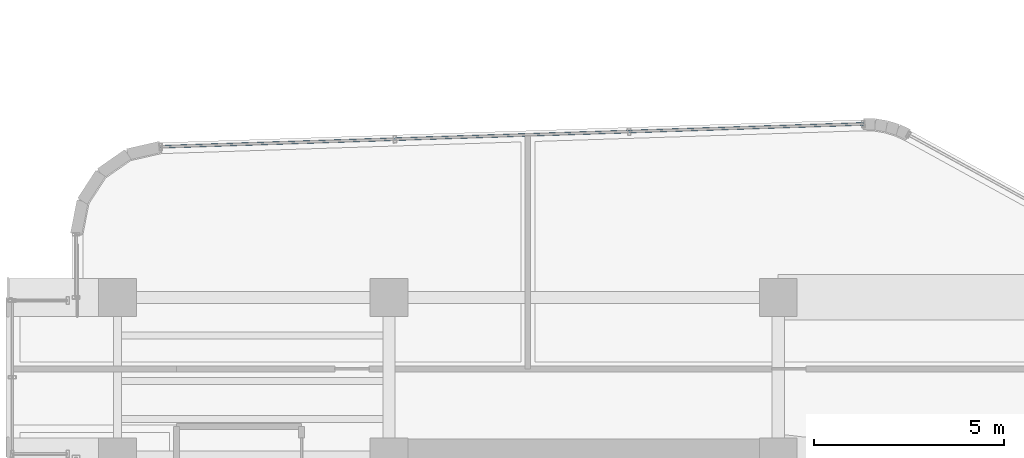
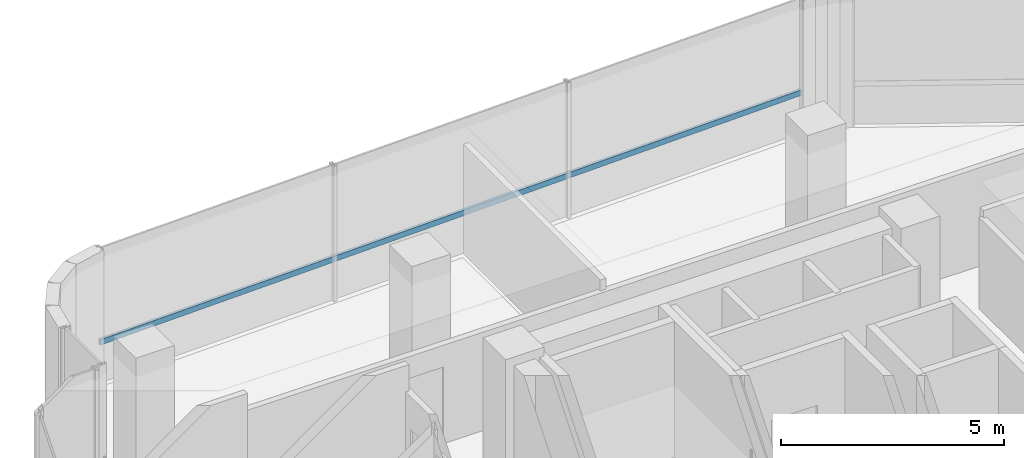
# One storey, part 20 of 35: 1 member, 1 element without a shape of its own.
"""IFC4 building model written with IfcOpenShell, lengths in metres."""

from ifc_helpers import new_model, si_unit, direction, frame, origin, origin_2d, place, context, subcontext, project, spatial, hollow_rectangle, extrude, source, transform, mapped, material, material_profile, profile_set, type_object, element, aggregate, save


model = new_model("IFC4")

# Units and contexts
model_context = context("Model", 3, precision=1e-05, world=origin(), true_north=direction((0.0, 1.0)))
body_context = subcontext(model_context, "Body", "Model", "MODEL_VIEW")
ifc_project = project(units=[si_unit("LENGTHUNIT", "METRE"), si_unit("AREAUNIT", "SQUARE_METRE"), si_unit("VOLUMEUNIT", "CUBIC_METRE"), si_unit("PLANEANGLEUNIT", "RADIAN"), si_unit("MASSUNIT", "GRAM", prefix="KILO")], contexts=[model_context])

# Site, building, storey
site_placement = place(None, origin())
site = spatial("IfcSite", under=ifc_project, at=site_placement, CompositionType="ELEMENT")
building_placement = place(site_placement, origin())
building = spatial("IfcBuilding", under=site, at=building_placement, Name="Valdorenza Pilgrim Sanctuary Tower", CompositionType="ELEMENT")
storey_placement = place(building_placement, frame((0.0, 0.0, 192.35009765625)))
storey = spatial("IfcBuildingStorey", under=building, at=storey_placement, Name="L49", CompositionType="ELEMENT", Elevation=192.35009765625)

# Curtain wall, member
ifc_material_1 = material(Name="Curtain-wall IGU glazing", Category="glass")
curtain_wall_type = type_object("IfcCurtainWallType", Name="CW-SYS-02", PredefinedType="NOTDEFINED", material=ifc_material_1)
curtain_wall_placement = place(storey_placement, origin())
curtain_wall = element("IfcCurtainWall", 1, at=curtain_wall_placement, inside=storey, type_object=curtain_wall_type, Name="L49 Curtain Wall CW-L49-1-6", PredefinedType="NOTDEFINED")
ifc_material_2 = material(Name="Anodised aluminium AW-6060", Category="aluminium")
ifc_material_profile = material_profile(ifc_material_2, hollow_rectangle(XDim=0.074951171875, YDim=0.14990234375, WallThickness=0.00390625, at=origin_2d()), Name="ALU-T 150x75x4")
ifc_profile_set = profile_set([ifc_material_profile], Name="Anodised aluminium AW-6060")
member_type = type_object("IfcMemberType", Name="CW-TRN-02", PredefinedType="USERDEFINED", material=ifc_profile_set)
shared_shape = source(origin(), body_context, "Body", "SweptSolid", [
    extrude(hollow_rectangle(XDim=0.074951171875, YDim=0.14990234375, WallThickness=0.00390625, at=origin_2d()), origin(), (0.0, 0.0, 1.0), 18.515625),
])
member_placement = place(storey_placement, frame((-28.663818359375, 18.76611328125, 1.119873046875), z_axis=(0.99947079366, 0.032528950501, 0.0), x_axis=(-0.032528950501, 0.99947079366, 0.0)))
member = element("IfcMember", 2, at=member_placement, type_object=member_type, Name="CW-L49-1-6 Transom 1", ObjectType="TRANSOM", PredefinedType="USERDEFINED", context=body_context, shape_type="MappedRepresentation", body=[
    mapped(shared_shape, transform((0.0, 0.0, 0.0), x_axis=(1.0, 0.0, 0.0), y_axis=(0.0, 1.0, 0.0), z_axis=(0.0, 0.0, 1.0), scale=1.0)),
])
aggregate(curtain_wall, [member])

save(model, "model.ifc")
